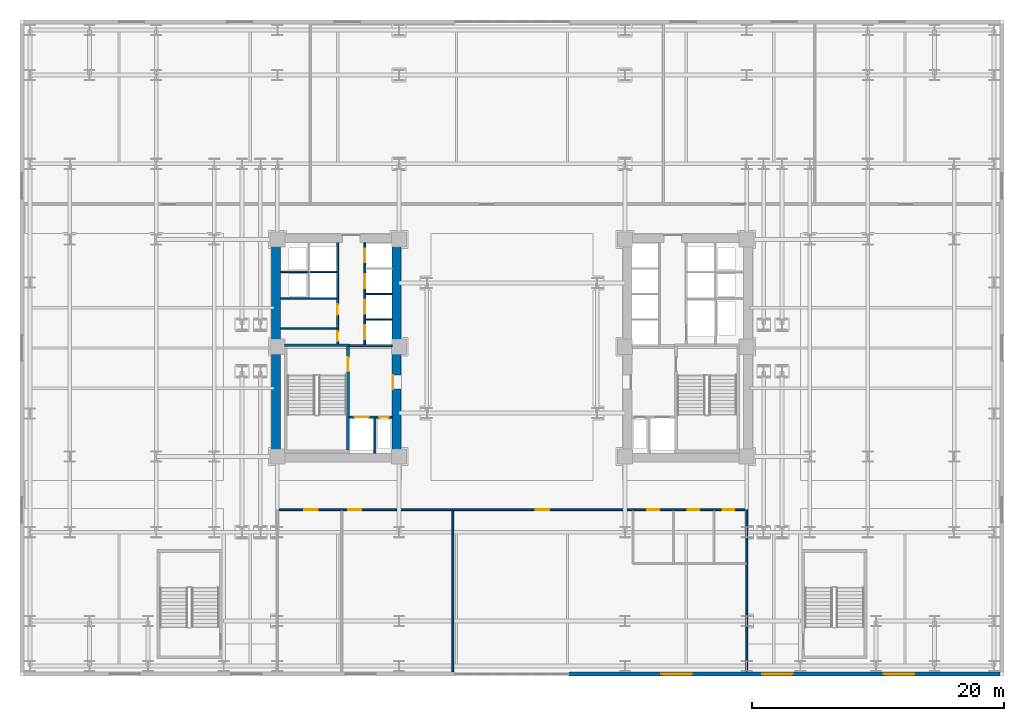
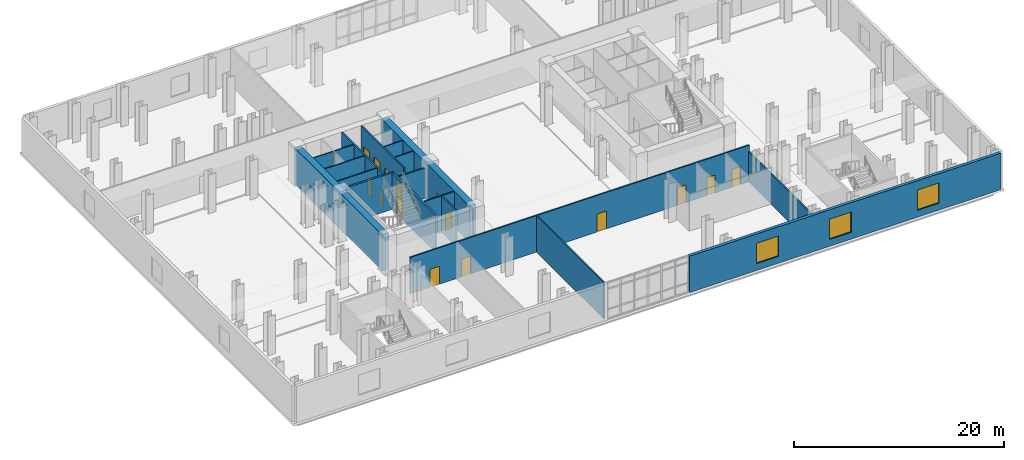
# One storey, part 8 of 15: 19 walls, 16 doors, 3 windows, 19 openings.
"""IFC4 building model written with IfcOpenShell, lengths in metres."""

from ifc_helpers import new_model, si_unit, direction, frame, frame_2d, origin, place, context, subcontext, project, spatial, rectangle, extrude, material, layer, layer_set, type_object, element, fill, save


model = new_model("IFC4")

# Units and contexts
model_context = context("Model", 3, precision=1e-05, world=origin(), true_north=direction((0.0, 1.0)))
body_context = subcontext(model_context, "Body", "Model", "MODEL_VIEW")
ifc_project = project(units=[si_unit("LENGTHUNIT", "METRE"), si_unit("AREAUNIT", "SQUARE_METRE"), si_unit("VOLUMEUNIT", "CUBIC_METRE"), si_unit("PLANEANGLEUNIT", "RADIAN"), si_unit("MASSUNIT", "GRAM", prefix="KILO")], contexts=[model_context])

# Site, building, storey
site_placement = place(None, origin())
site = spatial("IfcSite", under=ifc_project, at=site_placement, CompositionType="ELEMENT")
building_placement = place(site_placement, origin())
building = spatial("IfcBuilding", under=site, at=building_placement, Name="Velakula Bourse", CompositionType="ELEMENT")
storey_placement = place(building_placement, frame((0.0, 0.0, 14.10009765625)))
storey = spatial("IfcBuildingStorey", under=building, at=storey_placement, Name="L03", CompositionType="ELEMENT", Elevation=14.10009765625)

# Wall, opening, door
ifc_material_1 = material(Name="Concrete M50 (fck 50 MPa)", Category="concrete")
ifc_layer_1 = layer(ifc_material_1, 0.2099609375, Name="Concrete M50 (fck 50 MPa)", Category="concrete")
ifc_layer_set_1 = layer_set([ifc_layer_1], Name="Concrete M50 (fck 50 MPa)")
wall_type_1 = type_object("IfcWallType", Name="WL-CORE-210", PredefinedType="SHEAR", material=ifc_layer_set_1)
wall_1_placement = place(storey_placement, frame((-12.9951171875, -8.10009765625, 0.0), z_axis=(0.0, 0.0, 1.0), x_axis=(0.0, 1.0, 0.0)))
wall_1 = element("IfcWall", 1, at=wall_1_placement, inside=storey, type_object=wall_type_1, Name="L03 Core W Stairwell Shear Wall IN", PredefinedType="SHEAR", context=body_context, shape_type="SweptSolid", body=[
    extrude(rectangle(XDim=8.2001953125, YDim=0.2099609375, at=frame_2d((4.10009765625, 0.0))), origin(), (0.0, 0.0, 1.0), 4.25),
])
opening_1_placement = place(wall_1_placement, frame((6.25, 0.0, 0.0)))
opening_1 = element("IfcOpeningElement", 2, at=opening_1_placement, cuts=wall_1, Name="Opening D-STW1", PredefinedType="OPENING", context=body_context, shape_type="SweptSolid", body=[
    extrude(rectangle(XDim=1.10009765625, YDim=2.14990234375, at=frame_2d((0.550048828125, 1.074951171875))), frame((0.0, 0.114990234375, 0.0), z_axis=(0.0, -1.0, 0.0), x_axis=(1.0, 0.0, 0.0)), (0.0, 0.0, 1.0), 0.22998046875),
])
ifc_material_2 = material(Name="Galvanised painted hollow steel fire door", Category="steel")
door_type_1 = type_object("IfcDoorType", Name="DR-FD120-1100x2150", OperationType="NOTDEFINED", PredefinedType="DOOR", material=ifc_material_2)
door_1_placement = place(opening_1_placement, origin())
door_1 = element("IfcDoor", 3, at=door_1_placement, inside=storey, type_object=door_type_1, Name="L03 Stair ST-W1 Fire Door", OperationType="SINGLE_SWING_LEFT", OverallHeight=2.14990234375, OverallWidth=1.10009765625, PredefinedType="DOOR", context=body_context, shape_type="SweptSolid", body=[
    extrude(rectangle(XDim=1.10009765625, YDim=2.14990234375, at=frame_2d((0.550048828125, 1.074951171875))), frame((0.0, 0.02490234375, 0.0), z_axis=(0.0, -1.0, 0.0), x_axis=(1.0, 0.0, 0.0)), (0.0, 0.0, 1.0), 0.050048828125),
])
fill(opening_1, door_1)

# Walls
wall_2_placement = place(storey_placement, frame((-12.889892578125, 0.205078125, 0.0), z_axis=(0.0, 0.0, 1.0), x_axis=(-1.0, 0.0, 0.0)))
element("IfcWall", 4, at=wall_2_placement, inside=storey, type_object=wall_type_1, Name="L03 Core W Stairwell Shear Wall N", PredefinedType="SHEAR", context=body_context, shape_type="SweptSolid", body=[
    extrude(rectangle(XDim=5.14013671875, YDim=0.2099609375, at=frame_2d((2.570068359375, 0.0))), origin(), (0.0, 0.0, 1.0), 4.25),
])
ifc_material_3 = material(Name="Concrete M70 (fck 70 MPa)", Category="concrete")
ifc_layer_2 = layer(ifc_material_3, 0.699951171875, Name="Concrete M70 (fck 70 MPa)", Category="concrete")
ifc_layer_set_2 = layer_set([ifc_layer_2], Name="Concrete M70 (fck 70 MPa)")
wall_type_2 = type_object("IfcWallType", Name="WL-CORE-700", PredefinedType="SHEAR", material=ifc_layer_set_2)
wall_3_placement = place(storey_placement, frame((-18.699951171875, -8.35009765625, 0.0), z_axis=(0.0, 0.0, 1.0), x_axis=(0.0, 1.0, 0.0)))
element("IfcWall", 5, at=wall_3_placement, inside=storey, type_object=wall_type_2, Name="L03 Core W Shear Wall W", PredefinedType="SHEAR", context=body_context, shape_type="SweptSolid", body=[
    extrude(rectangle(XDim=16.7001953125, YDim=0.699951171875, at=frame_2d((8.35009765625, 0.0))), origin(), (0.0, 0.0, 1.0), 4.25),
])

# Wall, opening, door
wall_4_placement = place(storey_placement, frame((-9.14990234375, -8.35009765625, 0.0), z_axis=(0.0, 0.0, 1.0), x_axis=(0.0, 1.0, 0.0)))
wall_4 = element("IfcWall", 6, at=wall_4_placement, inside=storey, type_object=wall_type_2, Name="L03 Core W Shear Wall E", PredefinedType="SHEAR", context=body_context, shape_type="SweptSolid", body=[
    extrude(rectangle(XDim=16.7001953125, YDim=0.699951171875, at=frame_2d((8.35009765625, 0.0))), origin(), (0.0, 0.0, 1.0), 4.25),
])
opening_2_placement = place(wall_4_placement, frame((5.10009765625, 0.0, 0.0)))
opening_2 = element("IfcOpeningElement", 7, at=opening_2_placement, cuts=wall_4, Name="Opening D-FLW", PredefinedType="OPENING", context=body_context, shape_type="SweptSolid", body=[
    extrude(rectangle(XDim=1.10009765625, YDim=2.080078125, at=frame_2d((0.550048828125, 1.0400390625))), frame((0.0, 0.35986328125, 0.0), z_axis=(0.0, -1.0, 0.0), x_axis=(1.0, 0.0, 0.0)), (0.0, 0.0, 1.0), 0.719970703125),
])
door_type_2 = type_object("IfcDoorType", Name="DR-FD120-1100", OperationType="NOTDEFINED", PredefinedType="DOOR", material=ifc_material_2)
door_2_placement = place(opening_2_placement, origin())
door_2 = element("IfcDoor", 8, at=door_2_placement, inside=storey, type_object=door_type_2, Name="L03 Firefighting Lobby W Corridor Fire Door", OperationType="SINGLE_SWING_LEFT", OverallHeight=2.080078125, OverallWidth=1.10009765625, PredefinedType="DOOR", context=body_context, shape_type="SweptSolid", body=[
    extrude(rectangle(XDim=1.10009765625, YDim=2.080078125, at=frame_2d((0.550048828125, 1.0400390625))), frame((0.0, 0.30517578125, 0.0), z_axis=(0.0, -1.0, 0.0), x_axis=(1.0, 0.0, 0.0)), (0.0, 0.0, 1.0), 0.050048828125),
])
fill(opening_2, door_2)

# Wall, openings, windows
ifc_material_4 = material(Name="Red kilned clay facing brick masonry", Category="masonry")
ifc_layer_3 = layer(ifc_material_4, 0.320068359375, Name="Red kilned clay facing brick masonry", Category="masonry")
ifc_layer_set_3 = layer_set([ifc_layer_3], Name="Red kilned clay facing brick masonry")
wall_type_3 = type_object("IfcWallType", Name="WL-EXT-BRK-320", PredefinedType="STANDARD", material=ifc_layer_set_3)
wall_5_placement = place(storey_placement, frame((38.679931640625, -25.840087890625, 0.0), z_axis=(0.0, 0.0, 1.0), x_axis=(-1.0, 0.0, 0.0)))
wall_5 = element("IfcWall", 9, at=wall_5_placement, inside=storey, type_object=wall_type_3, Name="L03 South Brick Facade Wall 1", PredefinedType="STANDARD", context=body_context, shape_type="SweptSolid", body=[
    extrude(rectangle(XDim=34.179931640625, YDim=0.320068359375, at=frame_2d((17.08984375, 0.0))), origin(), (0.0, 0.0, 1.0), 4.22998046875),
])
opening_3_placement = place(wall_5_placement, frame((6.794921875, 0.0, 0.800048828125)))
opening_3 = element("IfcOpeningElement", 10, at=opening_3_placement, cuts=wall_5, Name="Opening W-06", PredefinedType="OPENING", context=body_context, shape_type="SweptSolid", body=[
    extrude(rectangle(XDim=2.39990234375, YDim=2.35009765625, at=frame_2d((1.199951171875, 1.175048828125))), frame((0.0, 0.169921875, 0.0), z_axis=(0.0, -1.0, 0.0), x_axis=(1.0, 0.0, 0.0)), (0.0, 0.0, 1.0), 0.340087890625),
])
opening_4_placement = place(wall_5_placement, frame((16.43994140625, 0.0, 0.800048828125)))
opening_4 = element("IfcOpeningElement", 11, at=opening_4_placement, cuts=wall_5, Name="Opening W-06", PredefinedType="OPENING", context=body_context, shape_type="SweptSolid", body=[
    extrude(rectangle(XDim=2.39990234375, YDim=2.35009765625, at=frame_2d((1.199951171875, 1.175048828125))), frame((0.0, 0.169921875, 0.0), z_axis=(0.0, -1.0, 0.0), x_axis=(1.0, 0.0, 0.0)), (0.0, 0.0, 1.0), 0.340087890625),
])
opening_5_placement = place(wall_5_placement, frame((24.43505859375, 0.0, 0.800048828125)))
opening_5 = element("IfcOpeningElement", 12, at=opening_5_placement, cuts=wall_5, Name="Opening W-06", PredefinedType="OPENING", context=body_context, shape_type="SweptSolid", body=[
    extrude(rectangle(XDim=2.39990234375, YDim=2.35009765625, at=frame_2d((1.199951171875, 1.175048828125))), frame((0.0, 0.169921875, 0.0), z_axis=(0.0, -1.0, 0.0), x_axis=(1.0, 0.0, 0.0)), (0.0, 0.0, 1.0), 0.340087890625),
])
ifc_material_5 = material(Name="Double-glazed solar-control Low-E glass", Category="glass")
window_type = type_object("IfcWindowType", Name="WIN-POD-2400x2600", PartitioningType="DOUBLE_PANEL_VERTICAL", PredefinedType="WINDOW", material=ifc_material_5)
window_1_placement = place(opening_3_placement, origin())
window_1 = element("IfcWindow", 13, at=window_1_placement, inside=storey, type_object=window_type, Name="L03 Deep-Set Recessed Window 1", OverallHeight=2.35009765625, OverallWidth=2.39990234375, PartitioningType="DOUBLE_PANEL_VERTICAL", PredefinedType="WINDOW", context=body_context, shape_type="SweptSolid", body=[
    extrude(rectangle(XDim=2.39990234375, YDim=2.35009765625, at=frame_2d((1.199951171875, 1.175048828125))), frame((0.0, 0.030029296875, 0.0), z_axis=(0.0, -1.0, 0.0), x_axis=(1.0, 0.0, 0.0)), (0.0, 0.0, 1.0), 0.06005859375),
])
fill(opening_3, window_1)
window_2_placement = place(opening_4_placement, origin())
window_2 = element("IfcWindow", 14, at=window_2_placement, inside=storey, type_object=window_type, Name="L03 Deep-Set Recessed Window 2", OverallHeight=2.35009765625, OverallWidth=2.39990234375, PartitioningType="DOUBLE_PANEL_VERTICAL", PredefinedType="WINDOW", context=body_context, shape_type="SweptSolid", body=[
    extrude(rectangle(XDim=2.39990234375, YDim=2.35009765625, at=frame_2d((1.199951171875, 1.175048828125))), frame((0.0, 0.030029296875, 0.0), z_axis=(0.0, -1.0, 0.0), x_axis=(1.0, 0.0, 0.0)), (0.0, 0.0, 1.0), 0.06005859375),
])
fill(opening_4, window_2)
window_3_placement = place(opening_5_placement, origin())
window_3 = element("IfcWindow", 15, at=window_3_placement, inside=storey, type_object=window_type, Name="L03 Deep-Set Recessed Window 3", OverallHeight=2.35009765625, OverallWidth=2.39990234375, PartitioningType="DOUBLE_PANEL_VERTICAL", PredefinedType="WINDOW", context=body_context, shape_type="SweptSolid", body=[
    extrude(rectangle(XDim=2.39990234375, YDim=2.35009765625, at=frame_2d((1.199951171875, 1.175048828125))), frame((0.0, 0.030029296875, 0.0), z_axis=(0.0, -1.0, 0.0), x_axis=(1.0, 0.0, 0.0)), (0.0, 0.0, 1.0), 0.06005859375),
])
fill(opening_5, window_3)

# Walls
ifc_material_6 = material(Name="Fire-rated double-layer gypsum drywall partition", Category="gypsum")
ifc_layer_4 = layer(ifc_material_6, 0.1201171875, Name="Fire-rated double-layer gypsum drywall partition", Category="gypsum")
ifc_layer_set_4 = layer_set([ifc_layer_4], Name="Fire-rated double-layer gypsum drywall partition")
wall_type_4 = type_object("IfcWallType", Name="WL-PART-120", PredefinedType="STANDARD", material=ifc_layer_set_4)
for number, where, z_axis, x_axis, name in (
    (16, (-11.60009765625, 2.2548828125, 0.0), (0.0, 0.0, 1.0), (1.0, 0.0, 0.0), "L03 Interior Partition WL-CRW-L03-BDIV-0"),
    (17, (-11.60009765625, 4.284912109375, 0.0), (0.0, 0.0, 1.0), (1.0, 0.0, 0.0), "L03 Interior Partition WL-CRW-L03-BDIV-1"),
):
    element("IfcWall", number, at=place(storey_placement, frame(where, z_axis=z_axis, x_axis=x_axis)), inside=storey, type_object=wall_type_4, Name=name, PredefinedType="STANDARD", context=body_context, shape_type="SweptSolid", body=[
        extrude(rectangle(XDim=2.10009765625, YDim=0.110107421875, at=frame_2d((1.050048828125, 0.0))), origin(), (0.0, 0.0, 1.0), 4.22998046875),
    ])
wall_6_placement = place(storey_placement, frame((-18.35009765625, 3.919921875, 0.0), z_axis=(0.0, 0.0, 1.0), x_axis=(1.0, 0.0, 0.0)))
element("IfcWall", 18, at=wall_6_placement, inside=storey, type_object=wall_type_4, Name="L03 Interior Partition WL-CRW-L03-HI-S", PredefinedType="STANDARD", context=body_context, shape_type="SweptSolid", body=[
    extrude(rectangle(XDim=4.4501953125, YDim=0.1201171875, at=frame_2d((2.22509765625, 0.0))), origin(), (0.0, 0.0, 1.0), 4.22998046875),
])
wall_7_placement = place(storey_placement, frame((-18.35009765625, 6.030029296875, 0.0), z_axis=(0.0, 0.0, 1.0), x_axis=(1.0, 0.0, 0.0)))
element("IfcWall", 19, at=wall_7_placement, inside=storey, type_object=wall_type_4, Name="L03 Interior Partition WL-CRW-L03-RIS-MID", PredefinedType="STANDARD", context=body_context, shape_type="SweptSolid", body=[
    extrude(rectangle(XDim=2.2001953125, YDim=0.1201171875, at=frame_2d((1.10009765625, 0.0))), origin(), (0.0, 0.0, 1.0), 4.22998046875),
])
wall_8_placement = place(storey_placement, frame((-16.0, 6.030029296875, 0.0), z_axis=(0.0, 0.0, 1.0), x_axis=(1.0, 0.0, 0.0)))
element("IfcWall", 20, at=wall_8_placement, inside=storey, type_object=wall_type_4, Name="L03 Interior Partition WL-CRW-L03-HI-DIV", PredefinedType="STANDARD", context=body_context, shape_type="SweptSolid", body=[
    extrude(rectangle(XDim=2.10009765625, YDim=0.1201171875, at=frame_2d((1.050048828125, 0.0))), origin(), (0.0, 0.0, 1.0), 4.22998046875),
])
wall_9_placement = place(storey_placement, frame((-18.35009765625, 1.550048828125, 0.0), z_axis=(0.0, 0.0, 1.0), x_axis=(1.0, 0.0, 0.0)))
element("IfcWall", 21, at=wall_9_placement, inside=storey, type_object=wall_type_4, Name="L03 Interior Partition WL-CRW-L03-K1", PredefinedType="STANDARD", context=body_context, shape_type="SweptSolid", body=[
    extrude(rectangle(XDim=4.4501953125, YDim=0.1201171875, at=frame_2d((2.22509765625, 0.0))), origin(), (0.0, 0.0, 1.0), 4.22998046875),
])
ifc_layer_5 = layer(ifc_material_6, 0.139892578125, Name="Fire-rated double-layer gypsum drywall partition", Category="gypsum")
ifc_layer_set_5 = layer_set([ifc_layer_5], Name="Fire-rated double-layer gypsum drywall partition")
wall_type_5 = type_object("IfcWallType", Name="WL-PART-140", PredefinedType="STANDARD", material=ifc_layer_set_5)
wall_10_placement = place(storey_placement, frame((18.60009765625, -25.679931640625, 0.0), z_axis=(0.0, 0.0, 1.0), x_axis=(0.0, 1.0, 0.0)))
element("IfcWall", 22, at=wall_10_placement, inside=storey, type_object=wall_type_5, Name="L03 Interior Partition WL-POD-L03-SE-END", PredefinedType="STANDARD", context=body_context, shape_type="SweptSolid", body=[
    extrude(rectangle(XDim=12.85986328125, YDim=0.139892578125, at=frame_2d((6.429931640625, 0.0))), origin(), (0.0, 0.0, 1.0), 3.52490234375),
])

# Wall, openings, doors
wall_11_placement = place(storey_placement, frame((-18.60009765625, -12.820068359375, 0.0), z_axis=(0.0, 0.0, 1.0), x_axis=(1.0, 0.0, 0.0)))
wall_11 = element("IfcWall", 23, at=wall_11_placement, inside=storey, type_object=wall_type_5, Name="L03 Interior Partition WL-POD-L03-S-CORR", PredefinedType="STANDARD", context=body_context, shape_type="SweptSolid", body=[
    extrude(rectangle(XDim=37.2001953125, YDim=0.14990234375, at=frame_2d((18.60009765625, 0.0))), origin(), (0.0, 0.0, 1.0), 4.22998046875),
])
opening_6_placement = place(wall_11_placement, frame((29.340087890625, 0.0, 0.0)))
opening_6 = element("IfcOpeningElement", 24, at=opening_6_placement, cuts=wall_11, Name="Opening D-WT1", PredefinedType="OPENING", context=body_context, shape_type="SweptSolid", body=[
    extrude(rectangle(XDim=0.919921875, YDim=2.080078125, at=frame_2d((0.4599609375, 1.0400390625))), frame((0.0, 0.0849609375, 0.0), z_axis=(0.0, -1.0, 0.0), x_axis=(1.0, 0.0, 0.0)), (0.0, 0.0, 1.0), 0.169921875),
])
opening_7_placement = place(wall_11_placement, frame((32.5400390625, 0.0, 0.0)))
opening_7 = element("IfcOpeningElement", 25, at=opening_7_placement, cuts=wall_11, Name="Opening D-WT1", PredefinedType="OPENING", context=body_context, shape_type="SweptSolid", body=[
    extrude(rectangle(XDim=0.919921875, YDim=2.080078125, at=frame_2d((0.4599609375, 1.0400390625))), frame((0.0, 0.0849609375, 0.0), z_axis=(0.0, -1.0, 0.0), x_axis=(1.0, 0.0, 0.0)), (0.0, 0.0, 1.0), 0.169921875),
])
opening_8_placement = place(wall_11_placement, frame((35.31396484375, 0.0, 0.0)))
opening_8 = element("IfcOpeningElement", 26, at=opening_8_placement, cuts=wall_11, Name="Opening D-WC1", PredefinedType="OPENING", context=body_context, shape_type="SweptSolid", body=[
    extrude(rectangle(XDim=0.919921875, YDim=2.080078125, at=frame_2d((0.4599609375, 1.0400390625))), frame((0.0, 0.0849609375, 0.0), z_axis=(0.0, -1.0, 0.0), x_axis=(1.0, 0.0, 0.0)), (0.0, 0.0, 1.0), 0.169921875),
])
opening_9_placement = place(wall_11_placement, frame((2.15087890625, 0.0, 0.0)))
opening_9 = element("IfcOpeningElement", 27, at=opening_9_placement, cuts=wall_11, Name="Opening D-PD2", PredefinedType="OPENING", context=body_context, shape_type="SweptSolid", body=[
    extrude(rectangle(XDim=1.050048828125, YDim=2.080078125, at=frame_2d((0.52490234375, 1.0400390625))), frame((0.0, 0.0849609375, 0.0), z_axis=(0.0, -1.0, 0.0), x_axis=(1.0, 0.0, 0.0)), (0.0, 0.0, 1.0), 0.169921875),
])
opening_10_placement = place(wall_11_placement, frame((5.60302734375, 0.0, 0.0)))
opening_10 = element("IfcOpeningElement", 28, at=opening_10_placement, cuts=wall_11, Name="Opening D-PD2", PredefinedType="OPENING", context=body_context, shape_type="SweptSolid", body=[
    extrude(rectangle(XDim=1.050048828125, YDim=2.080078125, at=frame_2d((0.52490234375, 1.0400390625))), frame((0.0, 0.0849609375, 0.0), z_axis=(0.0, -1.0, 0.0), x_axis=(1.0, 0.0, 0.0)), (0.0, 0.0, 1.0), 0.169921875),
])
opening_11_placement = place(wall_11_placement, frame((20.4951171875, 0.0, 0.0)))
opening_11 = element("IfcOpeningElement", 29, at=opening_11_placement, cuts=wall_11, Name="Opening D-PD2", PredefinedType="OPENING", context=body_context, shape_type="SweptSolid", body=[
    extrude(rectangle(XDim=1.050048828125, YDim=2.080078125, at=frame_2d((0.52490234375, 1.0400390625))), frame((0.0, 0.0849609375, 0.0), z_axis=(0.0, -1.0, 0.0), x_axis=(1.0, 0.0, 0.0)), (0.0, 0.0, 1.0), 0.169921875),
])
ifc_material_7 = material(Name="Fire-rated hardwood flush architectural door", Category="wood")
door_type_3 = type_object("IfcDoorType", Name="DR-OFF-1050", OperationType="NOTDEFINED", PredefinedType="DOOR", material=ifc_material_7)
door_3_placement = place(opening_9_placement, origin())
door_3 = element("IfcDoor", 30, at=door_3_placement, inside=storey, type_object=door_type_3, Name="L03 Media Press Briefing Room Door", OperationType="SINGLE_SWING_RIGHT", OverallHeight=2.080078125, OverallWidth=1.050048828125, PredefinedType="DOOR", context=body_context, shape_type="SweptSolid", body=[
    extrude(rectangle(XDim=1.050048828125, YDim=2.080078125, at=frame_2d((0.52490234375, 1.0400390625))), frame((0.0, 0.02490234375, 0.0), z_axis=(0.0, -1.0, 0.0), x_axis=(1.0, 0.0, 0.0)), (0.0, 0.0, 1.0), 0.050048828125),
])
fill(opening_9, door_3)
door_4_placement = place(opening_10_placement, origin())
door_4 = element("IfcDoor", 31, at=door_4_placement, inside=storey, type_object=door_type_3, Name="L03 VIP Delegation Lounge Door", OperationType="SINGLE_SWING_LEFT", OverallHeight=2.080078125, OverallWidth=1.050048828125, PredefinedType="DOOR", context=body_context, shape_type="SweptSolid", body=[
    extrude(rectangle(XDim=1.050048828125, YDim=2.080078125, at=frame_2d((0.52490234375, 1.0400390625))), frame((0.0, 0.02490234375, 0.0), z_axis=(0.0, -1.0, 0.0), x_axis=(1.0, 0.0, 0.0)), (0.0, 0.0, 1.0), 0.050048828125),
])
fill(opening_10, door_4)
door_5_placement = place(opening_11_placement, origin())
door_5 = element("IfcDoor", 32, at=door_5_placement, inside=storey, type_object=door_type_3, Name="L03 Plenary Administration Office Door", OperationType="SINGLE_SWING_RIGHT", OverallHeight=2.080078125, OverallWidth=1.050048828125, PredefinedType="DOOR", context=body_context, shape_type="SweptSolid", body=[
    extrude(rectangle(XDim=1.050048828125, YDim=2.080078125, at=frame_2d((0.52490234375, 1.0400390625))), frame((0.0, 0.02490234375, 0.0), z_axis=(0.0, -1.0, 0.0), x_axis=(1.0, 0.0, 0.0)), (0.0, 0.0, 1.0), 0.050048828125),
])
fill(opening_11, door_5)
door_type_4 = type_object("IfcDoorType", Name="DR-WC-950", OperationType="NOTDEFINED", PredefinedType="DOOR", material=ifc_material_7)
door_6_placement = place(opening_6_placement, origin())
door_6 = element("IfcDoor", 33, at=door_6_placement, inside=storey, type_object=door_type_4, Name="L03 Male Public Toilet Door", OperationType="SINGLE_SWING_LEFT", OverallHeight=2.080078125, OverallWidth=0.919921875, PredefinedType="DOOR", context=body_context, shape_type="SweptSolid", body=[
    extrude(rectangle(XDim=0.919921875, YDim=2.080078125, at=frame_2d((0.4599609375, 1.0400390625))), frame((0.0, 0.02490234375, 0.0), z_axis=(0.0, -1.0, 0.0), x_axis=(1.0, 0.0, 0.0)), (0.0, 0.0, 1.0), 0.050048828125),
])
fill(opening_6, door_6)
door_7_placement = place(opening_7_placement, origin())
door_7 = element("IfcDoor", 34, at=door_7_placement, inside=storey, type_object=door_type_4, Name="L03 Female Public Toilet Door", OperationType="SINGLE_SWING_RIGHT", OverallHeight=2.080078125, OverallWidth=0.919921875, PredefinedType="DOOR", context=body_context, shape_type="SweptSolid", body=[
    extrude(rectangle(XDim=0.919921875, YDim=2.080078125, at=frame_2d((0.4599609375, 1.0400390625))), frame((0.0, 0.02490234375, 0.0), z_axis=(0.0, -1.0, 0.0), x_axis=(1.0, 0.0, 0.0)), (0.0, 0.0, 1.0), 0.050048828125),
])
fill(opening_7, door_7)
door_8_placement = place(opening_8_placement, origin())
door_8 = element("IfcDoor", 35, at=door_8_placement, inside=storey, type_object=door_type_4, Name="L03 Accessible WC Door", OperationType="SINGLE_SWING_LEFT", OverallHeight=2.080078125, OverallWidth=0.919921875, PredefinedType="DOOR", context=body_context, shape_type="SweptSolid", body=[
    extrude(rectangle(XDim=0.919921875, YDim=2.080078125, at=frame_2d((0.4599609375, 1.0400390625))), frame((0.0, 0.02490234375, 0.0), z_axis=(0.0, -1.0, 0.0), x_axis=(1.0, 0.0, 0.0)), (0.0, 0.0, 1.0), 0.050048828125),
])
fill(opening_8, door_8)

# Wall
wall_12_placement = place(storey_placement, frame((-4.699951171875, -25.679931640625, 0.0), z_axis=(0.0, 0.0, 1.0), x_axis=(0.0, 1.0, 0.0)))
element("IfcWall", 36, at=wall_12_placement, inside=storey, type_object=wall_type_5, Name="L03 Interior Partition WL-POD-L03-SD2", PredefinedType="STANDARD", context=body_context, shape_type="SweptSolid", body=[
    extrude(rectangle(XDim=12.7900390625, YDim=0.139892578125, at=frame_2d((6.39501953125, 0.0))), origin(), (0.0, 0.0, 1.0), 4.22998046875),
])

# Wall, openings, doors
ifc_material_8 = material(Name="Autoclaved aerated concrete blockwork masonry", Category="masonry")
ifc_layer_6 = layer(ifc_material_8, 0.14990234375, Name="Autoclaved aerated concrete blockwork masonry", Category="masonry")
ifc_layer_set_6 = layer_set([ifc_layer_6], Name="Autoclaved aerated concrete blockwork masonry")
wall_type_6 = type_object("IfcWallType", Name="WL-SHAFT-150", PredefinedType="STANDARD", material=ifc_layer_set_6)
wall_13_placement = place(storey_placement, frame((-12.89501953125, -5.47509765625, 0.0), z_axis=(0.0, 0.0, 1.0), x_axis=(1.0, 0.0, 0.0)))
wall_13 = element("IfcWall", 37, at=wall_13_placement, inside=storey, type_object=wall_type_6, Name="L03 Interior Partition WL-CRW-L03-FFL-N", PredefinedType="STANDARD", context=body_context, shape_type="SweptSolid", body=[
    extrude(rectangle(XDim=3.39501953125, YDim=0.14990234375, at=frame_2d((1.697509765625, 0.0))), origin(), (0.0, 0.0, 1.0), 4.22998046875),
])
opening_12_placement = place(wall_13_placement, frame((0.419921875, 0.0, 0.0)))
opening_12 = element("IfcOpeningElement", 38, at=opening_12_placement, cuts=wall_13, Name="Opening LD-FFL-1", PredefinedType="OPENING", context=body_context, shape_type="SweptSolid", body=[
    extrude(rectangle(XDim=1.10009765625, YDim=2.14990234375, at=frame_2d((0.550048828125, 1.074951171875))), frame((0.0, 0.0849609375, 0.0), z_axis=(0.0, -1.0, 0.0), x_axis=(1.0, 0.0, 0.0)), (0.0, 0.0, 1.0), 0.169921875),
])
opening_13_placement = place(wall_13_placement, frame((2.3701171875, 0.0, 0.0)))
opening_13 = element("IfcOpeningElement", 39, at=opening_13_placement, cuts=wall_13, Name="Opening D-RS1", PredefinedType="OPENING", context=body_context, shape_type="SweptSolid", body=[
    extrude(rectangle(XDim=0.75, YDim=2.050048828125, at=frame_2d((0.375, 1.02490234375))), frame((0.0, 0.0849609375, 0.0), z_axis=(0.0, -1.0, 0.0), x_axis=(1.0, 0.0, 0.0)), (0.0, 0.0, 1.0), 0.169921875),
])
door_type_5 = type_object("IfcDoorType", Name="DR-RISER-800", OperationType="NOTDEFINED", PredefinedType="DOOR", material=ifc_material_2)
door_9_placement = place(opening_13_placement, origin())
door_9 = element("IfcDoor", 40, at=door_9_placement, inside=storey, type_object=door_type_5, Name="L03 Fire Riser Access Door", OperationType="SINGLE_SWING_LEFT", OverallHeight=2.050048828125, OverallWidth=0.75, PredefinedType="DOOR", context=body_context, shape_type="SweptSolid", body=[
    extrude(rectangle(XDim=0.75, YDim=2.050048828125, at=frame_2d((0.375, 1.02490234375))), frame((0.0, 0.02490234375, 0.0), z_axis=(0.0, -1.0, 0.0), x_axis=(1.0, 0.0, 0.0)), (0.0, 0.0, 1.0), 0.050048828125),
])
fill(opening_13, door_9)
ifc_material_9 = material(Name="Brushed grade 316 stainless steel", Category="steel")
door_type_6 = type_object("IfcDoorType", Name="DR-SLIDE-FFL-1100", OperationType="DOUBLE_DOOR_SLIDING", PredefinedType="DOOR", material=ifc_material_9)
door_10_placement = place(opening_12_placement, origin())
door_10 = element("IfcDoor", 41, at=door_10_placement, inside=storey, type_object=door_type_6, Name="L03 Firefighting Lift FFL-1 Sliding Landing Door", OperationType="DOUBLE_DOOR_SLIDING", OverallHeight=2.14990234375, OverallWidth=1.10009765625, PredefinedType="DOOR", context=body_context, shape_type="SweptSolid", body=[
    extrude(rectangle(XDim=1.10009765625, YDim=2.14990234375, at=frame_2d((0.550048828125, 1.074951171875))), frame((0.0, 0.02490234375, 0.0), z_axis=(0.0, -1.0, 0.0), x_axis=(1.0, 0.0, 0.0)), (0.0, 0.0, 1.0), 0.050048828125),
])
fill(opening_12, door_10)

# Walls
wall_14_placement = place(storey_placement, frame((-10.875, -8.35009765625, 0.0), z_axis=(0.0, 0.0, 1.0), x_axis=(0.0, 1.0, 0.0)))
element("IfcWall", 42, at=wall_14_placement, inside=storey, type_object=wall_type_6, Name="L03 Interior Partition WL-CRW-L03-FR-DIV", PredefinedType="STANDARD", context=body_context, shape_type="SweptSolid", body=[
    extrude(rectangle(XDim=2.800048828125, YDim=0.14990234375, at=frame_2d((1.39990234375, 0.0))), origin(), (0.0, 0.0, 1.0), 4.22998046875),
])
wall_15_placement = place(storey_placement, frame((-12.889892578125, 0.18994140625, 0.0), z_axis=(0.0, 0.0, 1.0), x_axis=(1.0, 0.0, 0.0)))
element("IfcWall", 43, at=wall_15_placement, inside=storey, type_object=wall_type_6, Name="L03 Interior Partition WL-CRW-L03-FF-TOP", PredefinedType="STANDARD", context=body_context, shape_type="SweptSolid", body=[
    extrude(rectangle(XDim=3.389892578125, YDim=0.14990234375, at=frame_2d((1.69482421875, 0.0))), origin(), (0.0, 0.0, 1.0), 3.52490234375),
])

# Wall, openings, doors
wall_16_placement = place(storey_placement, frame((-11.675048828125, 0.27001953125, 0.0), z_axis=(0.0, 0.0, 1.0), x_axis=(0.0, 1.0, 0.0)))
wall_16 = element("IfcWall", 44, at=wall_16_placement, inside=storey, type_object=wall_type_6, Name="L03 Interior Partition WL-CRW-L03-BANK-F", PredefinedType="STANDARD", context=body_context, shape_type="SweptSolid", body=[
    extrude(rectangle(XDim=8.080078125, YDim=0.14990234375, at=frame_2d((4.0400390625, 0.0))), origin(), (0.0, 0.0, 1.0), 4.22998046875),
])
opening_14_placement = place(wall_16_placement, frame((0.419921875, 0.0, 0.0)))
opening_14 = element("IfcOpeningElement", 45, at=opening_14_placement, cuts=wall_16, Name="Opening LD-P1", PredefinedType="OPENING", context=body_context, shape_type="SweptSolid", body=[
    extrude(rectangle(XDim=1.10009765625, YDim=2.10009765625, at=frame_2d((0.550048828125, 1.050048828125))), frame((0.0, 0.0849609375, 0.0), z_axis=(0.0, -1.0, 0.0), x_axis=(1.0, 0.0, 0.0)), (0.0, 0.0, 1.0), 0.169921875),
])
opening_15_placement = place(wall_16_placement, frame((2.449951171875, 0.0, 0.0)))
opening_15 = element("IfcOpeningElement", 46, at=opening_15_placement, cuts=wall_16, Name="Opening LD-P2", PredefinedType="OPENING", context=body_context, shape_type="SweptSolid", body=[
    extrude(rectangle(XDim=1.10009765625, YDim=2.10009765625, at=frame_2d((0.550048828125, 1.050048828125))), frame((0.0, 0.0849609375, 0.0), z_axis=(0.0, -1.0, 0.0), x_axis=(1.0, 0.0, 0.0)), (0.0, 0.0, 1.0), 0.169921875),
])
opening_16_placement = place(wall_16_placement, frame((4.47998046875, 0.0, 0.0)))
opening_16 = element("IfcOpeningElement", 47, at=opening_16_placement, cuts=wall_16, Name="Opening LD-P3", PredefinedType="OPENING", context=body_context, shape_type="SweptSolid", body=[
    extrude(rectangle(XDim=1.10009765625, YDim=2.10009765625, at=frame_2d((0.550048828125, 1.050048828125))), frame((0.0, 0.0849609375, 0.0), z_axis=(0.0, -1.0, 0.0), x_axis=(1.0, 0.0, 0.0)), (0.0, 0.0, 1.0), 0.169921875),
])
opening_17_placement = place(wall_16_placement, frame((6.510009765625, 0.0, 0.0)))
opening_17 = element("IfcOpeningElement", 48, at=opening_17_placement, cuts=wall_16, Name="Opening LD-P4", PredefinedType="OPENING", context=body_context, shape_type="SweptSolid", body=[
    extrude(rectangle(XDim=1.10009765625, YDim=2.10009765625, at=frame_2d((0.550048828125, 1.050048828125))), frame((0.0, 0.0849609375, 0.0), z_axis=(0.0, -1.0, 0.0), x_axis=(1.0, 0.0, 0.0)), (0.0, 0.0, 1.0), 0.169921875),
])
door_type_7 = type_object("IfcDoorType", Name="DR-SLIDE-LD-1100", OperationType="DOUBLE_DOOR_SLIDING", PredefinedType="DOOR", material=ifc_material_9)
door_11_placement = place(opening_14_placement, origin())
door_11 = element("IfcDoor", 49, at=door_11_placement, inside=storey, type_object=door_type_7, Name="L03 Passenger Lift P1 Sliding Landing Door", OperationType="DOUBLE_DOOR_SLIDING", OverallHeight=2.10009765625, OverallWidth=1.10009765625, PredefinedType="DOOR", context=body_context, shape_type="SweptSolid", body=[
    extrude(rectangle(XDim=1.10009765625, YDim=2.10009765625, at=frame_2d((0.550048828125, 1.050048828125))), frame((0.0, 0.02490234375, 0.0), z_axis=(0.0, -1.0, 0.0), x_axis=(1.0, 0.0, 0.0)), (0.0, 0.0, 1.0), 0.050048828125),
])
fill(opening_14, door_11)
door_12_placement = place(opening_15_placement, origin())
door_12 = element("IfcDoor", 50, at=door_12_placement, inside=storey, type_object=door_type_7, Name="L03 Passenger Lift P2 Sliding Landing Door", OperationType="DOUBLE_DOOR_SLIDING", OverallHeight=2.10009765625, OverallWidth=1.10009765625, PredefinedType="DOOR", context=body_context, shape_type="SweptSolid", body=[
    extrude(rectangle(XDim=1.10009765625, YDim=2.10009765625, at=frame_2d((0.550048828125, 1.050048828125))), frame((0.0, 0.02490234375, 0.0), z_axis=(0.0, -1.0, 0.0), x_axis=(1.0, 0.0, 0.0)), (0.0, 0.0, 1.0), 0.050048828125),
])
fill(opening_15, door_12)
door_13_placement = place(opening_16_placement, origin())
door_13 = element("IfcDoor", 51, at=door_13_placement, inside=storey, type_object=door_type_7, Name="L03 Passenger Lift P3 Sliding Landing Door", OperationType="DOUBLE_DOOR_SLIDING", OverallHeight=2.10009765625, OverallWidth=1.10009765625, PredefinedType="DOOR", context=body_context, shape_type="SweptSolid", body=[
    extrude(rectangle(XDim=1.10009765625, YDim=2.10009765625, at=frame_2d((0.550048828125, 1.050048828125))), frame((0.0, 0.02490234375, 0.0), z_axis=(0.0, -1.0, 0.0), x_axis=(1.0, 0.0, 0.0)), (0.0, 0.0, 1.0), 0.050048828125),
])
fill(opening_16, door_13)
door_14_placement = place(opening_17_placement, origin())
door_14 = element("IfcDoor", 52, at=door_14_placement, inside=storey, type_object=door_type_7, Name="L03 Passenger Lift P4 Sliding Landing Door", OperationType="DOUBLE_DOOR_SLIDING", OverallHeight=2.10009765625, OverallWidth=1.10009765625, PredefinedType="DOOR", context=body_context, shape_type="SweptSolid", body=[
    extrude(rectangle(XDim=1.10009765625, YDim=2.10009765625, at=frame_2d((0.550048828125, 1.050048828125))), frame((0.0, 0.02490234375, 0.0), z_axis=(0.0, -1.0, 0.0), x_axis=(1.0, 0.0, 0.0)), (0.0, 0.0, 1.0), 0.050048828125),
])
fill(opening_17, door_14)

wall_17_placement = place(storey_placement, frame((-13.824951171875, 0.27001953125, 0.0), z_axis=(0.0, 0.0, 1.0), x_axis=(0.0, 1.0, 0.0)))
wall_17 = element("IfcWall", 53, at=wall_17_placement, inside=storey, type_object=wall_type_6, Name="L03 Interior Partition WL-CRW-L03-OUT-F", PredefinedType="STANDARD", context=body_context, shape_type="SweptSolid", body=[
    extrude(rectangle(XDim=8.080078125, YDim=0.14990234375, at=frame_2d((4.0400390625, 0.0))), origin(), (0.0, 0.0, 1.0), 4.22998046875),
])
opening_18_placement = place(wall_17_placement, frame((0.25, 0.0, 0.0)))
opening_18 = element("IfcOpeningElement", 54, at=opening_18_placement, cuts=wall_17, Name="Opening D-CS1", PredefinedType="OPENING", context=body_context, shape_type="SweptSolid", body=[
    extrude(rectangle(XDim=0.800048828125, YDim=2.050048828125, at=frame_2d((0.39990234375, 1.02490234375))), frame((0.0, 0.0849609375, 0.0), z_axis=(0.0, -1.0, 0.0), x_axis=(1.0, 0.0, 0.0)), (0.0, 0.0, 1.0), 0.169921875),
])
opening_19_placement = place(wall_17_placement, frame((2.35009765625, 0.0, 0.0)))
opening_19 = element("IfcOpeningElement", 55, at=opening_19_placement, cuts=wall_17, Name="Opening D-CW1", PredefinedType="OPENING", context=body_context, shape_type="SweptSolid", body=[
    extrude(rectangle(XDim=0.85009765625, YDim=2.050048828125, at=frame_2d((0.425048828125, 1.02490234375))), frame((0.0, 0.0849609375, 0.0), z_axis=(0.0, -1.0, 0.0), x_axis=(1.0, 0.0, 0.0)), (0.0, 0.0, 1.0), 0.169921875),
])
door_type_8 = type_object("IfcDoorType", Name="DR-INT-850", OperationType="NOTDEFINED", PredefinedType="DOOR", material=ifc_material_7)
door_15_placement = place(opening_19_placement, origin())
door_15 = element("IfcDoor", 56, at=door_15_placement, inside=storey, type_object=door_type_8, Name="L03 Core Janitor Closet Door", OperationType="SINGLE_SWING_RIGHT", OverallHeight=2.050048828125, OverallWidth=0.85009765625, PredefinedType="DOOR", context=body_context, shape_type="SweptSolid", body=[
    extrude(rectangle(XDim=0.85009765625, YDim=2.050048828125, at=frame_2d((0.425048828125, 1.02490234375))), frame((0.0, 0.02490234375, 0.0), z_axis=(0.0, -1.0, 0.0), x_axis=(1.0, 0.0, 0.0)), (0.0, 0.0, 1.0), 0.050048828125),
])
fill(opening_19, door_15)
door_type_9 = type_object("IfcDoorType", Name="DR-RISER-800x2050", OperationType="NOTDEFINED", PredefinedType="DOOR", material=ifc_material_2)
door_16_placement = place(opening_18_placement, origin())
door_16 = element("IfcDoor", 57, at=door_16_placement, inside=storey, type_object=door_type_9, Name="L03 Core Cleaner Store Door", OperationType="SINGLE_SWING_LEFT", OverallHeight=2.050048828125, OverallWidth=0.800048828125, PredefinedType="DOOR", context=body_context, shape_type="SweptSolid", body=[
    extrude(rectangle(XDim=0.800048828125, YDim=2.050048828125, at=frame_2d((0.39990234375, 1.02490234375))), frame((0.0, 0.02490234375, 0.0), z_axis=(0.0, -1.0, 0.0), x_axis=(1.0, 0.0, 0.0)), (0.0, 0.0, 1.0), 0.050048828125),
])
fill(opening_18, door_16)

save(model, "model.ifc")
